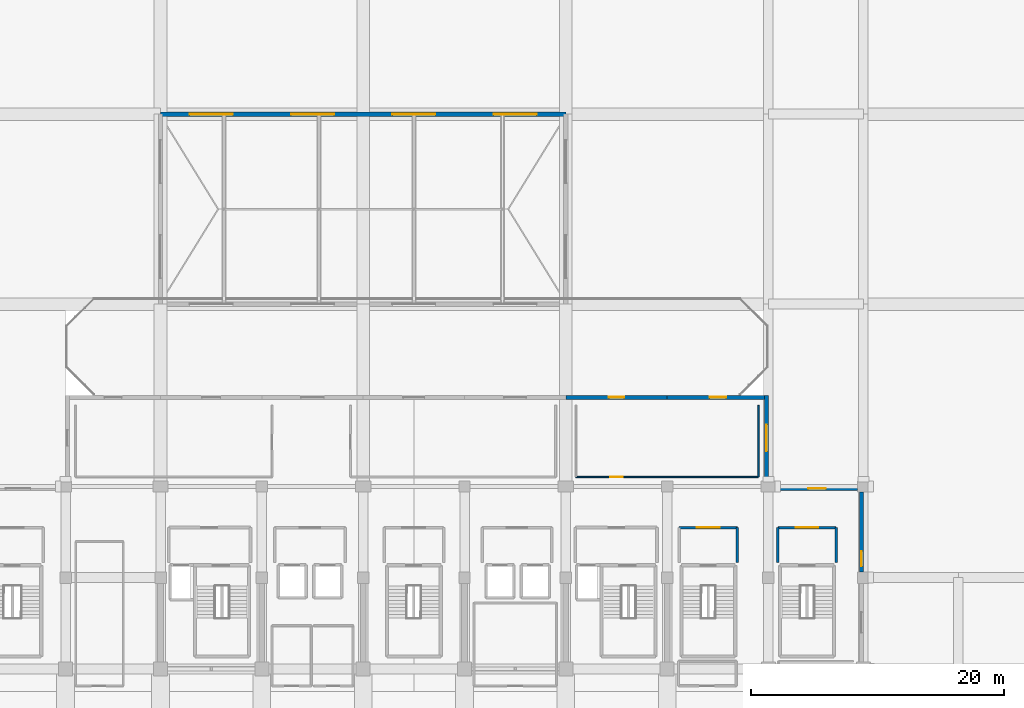
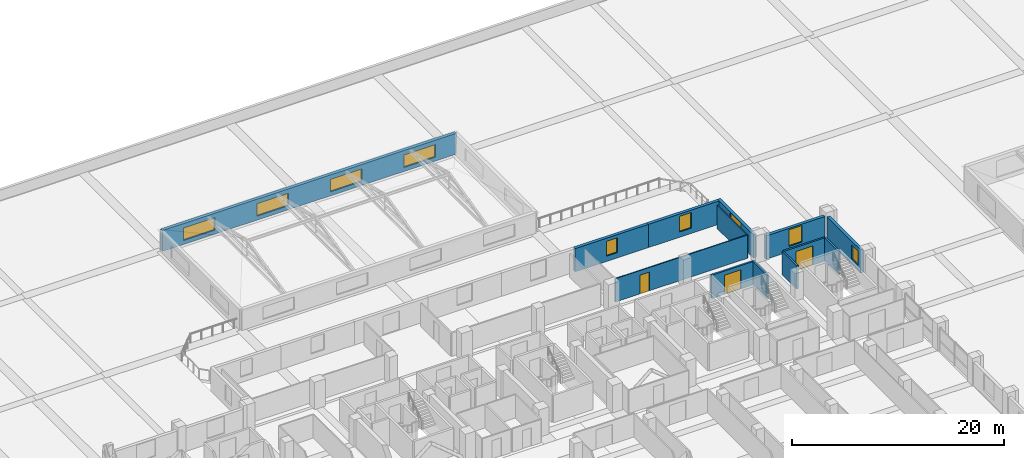
# One storey, part 42 of 49: 13 walls, 9 windows, 3 doors, 12 openings.
"""IFC4 building model written with IfcOpenShell, lengths in metres."""

from ifc_helpers import new_model, si_unit, direction, frame, frame_2d, origin, place, context, subcontext, project, spatial, rectangle, extrude, material, layer, layer_set, type_object, element, fill, save


model = new_model("IFC4")

# Units and contexts
model_context = context("Model", 3, precision=1e-05, world=origin(), true_north=direction((0.0, 1.0)))
body_context = subcontext(model_context, "Body", "Model", "MODEL_VIEW")
ifc_project = project(units=[si_unit("LENGTHUNIT", "METRE"), si_unit("AREAUNIT", "SQUARE_METRE"), si_unit("VOLUMEUNIT", "CUBIC_METRE"), si_unit("PLANEANGLEUNIT", "RADIAN"), si_unit("MASSUNIT", "GRAM", prefix="KILO")], contexts=[model_context])

# Site, building, storey
site_placement = place(None, origin())
site = spatial("IfcSite", under=ifc_project, at=site_placement, CompositionType="ELEMENT")
building_placement = place(site_placement, origin())
building = spatial("IfcBuilding", under=site, at=building_placement, Name="Akrevak Sports Hall", CompositionType="ELEMENT")
storey_placement = place(building_placement, frame((0.0, 0.0, 24.14990234375)))
storey = spatial("IfcBuildingStorey", under=building, at=storey_placement, Name="L04", CompositionType="ELEMENT", Elevation=24.14990234375)

# Wall, opening, window
ifc_material_1 = material(Name="Limestone Ashlar", Category="stone")
ifc_layer_1 = layer(ifc_material_1, 0.070068359375, Name="Limestone Ashlar")
ifc_material_2 = material(Name="Mineral Wool Thermal Insulation", Category="insulation")
ifc_layer_2 = layer(ifc_material_2, 0.090087890625, Name="Mineral Wool Thermal Insulation")
ifc_material_3 = material(Name="Concrete C40/50", Category="concrete")
ifc_layer_3 = layer(ifc_material_3, 0.159912109375, Name="Concrete C40/50")
ifc_layer_set_1 = layer_set([ifc_layer_1, ifc_layer_2, ifc_layer_3], Name="Limestone Ashlar / Mineral Wool Thermal Insulation / Concrete C40/50")
wall_type_1 = type_object("IfcWallType", Name="ARC-WL-EXT-320", PredefinedType="SOLIDWALL", material=ifc_layer_set_1)
wall_1_placement = place(storey_placement, frame((115.340087890625, 62.85009765625, 0.0), z_axis=(0.0, 0.0, 1.0), x_axis=(0.0, 1.0, 0.0)))
wall_1 = element("IfcWall", 1, at=wall_1_placement, inside=storey, type_object=wall_type_1, Name="Tower Stone Facade Wall L04-E17", PredefinedType="SOLIDWALL", context=body_context, shape_type="SweptSolid", body=[
    extrude(rectangle(XDim=6.2998046875, YDim=0.320068359375, at=frame_2d((3.14990234375, 0.0))), origin(), (0.0, 0.0, 1.0), 2.68017578125),
])
opening_1_placement = place(wall_1_placement, frame((0.449951171875, 0.0, 0.6201171875)))
opening_1 = element("IfcOpeningElement", 2, at=opening_1_placement, cuts=wall_1, Name="Opening WN-45", PredefinedType="OPENING", context=body_context, shape_type="SweptSolid", body=[
    extrude(rectangle(XDim=1.199951171875, YDim=1.64990234375, at=frame_2d((0.60009765625, 0.824951171875))), frame((0.0, 0.171875, 0.0), z_axis=(0.0, -1.0, 0.0), x_axis=(1.0, 0.0, 0.0)), (0.0, 0.0, 1.0), 0.343994140625),
])
ifc_material_4 = material(Name="Thermally Broken Bronze Frame & Double Low-E Glass", Category="glass")
window_type_1 = type_object("IfcWindowType", Name="ARC-WIN-SZ-1200x1650", PartitioningType="SINGLE_PANEL", PredefinedType="WINDOW", material=ifc_material_4)
window_1_placement = place(opening_1_placement, origin())
window_1 = element("IfcWindow", 3, at=window_1_placement, inside=storey, type_object=window_type_1, Name="Tower Window L04-E17", OverallHeight=1.64990234375, OverallWidth=1.199951171875, PartitioningType="SINGLE_PANEL", PredefinedType="WINDOW", context=body_context, shape_type="SweptSolid", body=[
    extrude(rectangle(XDim=1.199951171875, YDim=1.64990234375, at=frame_2d((0.60009765625, 0.824951171875))), frame((0.0, 0.030029296875, 0.0), z_axis=(0.0, -1.0, 0.0), x_axis=(1.0, 0.0, 0.0)), (0.0, 0.0, 1.0), 0.06005859375),
])
fill(opening_1, window_1)

wall_2_placement = place(storey_placement, frame((115.050048828125, 69.43994140625, 0.0), z_axis=(0.0, 0.0, 1.0), x_axis=(-1.0, 0.0, 0.0)))
wall_2 = element("IfcWall", 4, at=wall_2_placement, inside=storey, type_object=wall_type_1, Name="Tower Stone Facade Wall L04-N18", PredefinedType="SOLIDWALL", context=body_context, shape_type="SweptSolid", body=[
    extrude(rectangle(XDim=6.449951171875, YDim=0.320068359375, at=frame_2d((3.22509765625, 0.0))), origin(), (0.0, 0.0, 1.0), 2.68017578125),
])
opening_2_placement = place(wall_2_placement, frame((2.52490234375, 0.0, 0.6201171875)))
opening_2 = element("IfcOpeningElement", 5, at=opening_2_placement, cuts=wall_2, Name="Opening WN-10", PredefinedType="OPENING", context=body_context, shape_type="SweptSolid", body=[
    extrude(rectangle(XDim=1.39990234375, YDim=1.89990234375, at=frame_2d((0.699951171875, 0.949951171875))), frame((0.0, 0.171875, 0.0), z_axis=(0.0, -1.0, 0.0), x_axis=(1.0, 0.0, 0.0)), (0.0, 0.0, 1.0), 0.343994140625),
])
window_type_2 = type_object("IfcWindowType", Name="ARC-WIN-TW-140x190", PartitioningType="SINGLE_PANEL", PredefinedType="WINDOW", material=ifc_material_4)
window_2_placement = place(opening_2_placement, origin())
window_2 = element("IfcWindow", 6, at=window_2_placement, inside=storey, type_object=window_type_2, Name="Tower Window L04-N18", OverallHeight=1.89990234375, OverallWidth=1.39990234375, PartitioningType="SINGLE_PANEL", PredefinedType="WINDOW", context=body_context, shape_type="SweptSolid", body=[
    extrude(rectangle(XDim=1.39990234375, YDim=1.89990234375, at=frame_2d((0.699951171875, 0.949951171875))), frame((0.0, 0.030029296875, 0.0), z_axis=(0.0, -1.0, 0.0), x_axis=(1.0, 0.0, 0.0)), (0.0, 0.0, 1.0), 0.06005859375),
])
fill(opening_2, window_2)

wall_3_placement = place(storey_placement, frame((107.840087890625, 70.050048828125, 0.0), z_axis=(0.0, 0.0, 1.0), x_axis=(0.0, 1.0, 0.0)))
wall_3 = element("IfcWall", 7, at=wall_3_placement, inside=storey, type_object=wall_type_1, Name="Tower Stone Facade Wall L04-E19", PredefinedType="SOLIDWALL", context=body_context, shape_type="SweptSolid", body=[
    extrude(rectangle(XDim=6.75, YDim=0.320068359375, at=frame_2d((3.375, 0.0))), origin(), (0.0, 0.0, 1.0), 2.68017578125),
])
opening_3_placement = place(wall_3_placement, frame((2.324951171875, 0.0, 0.6201171875)))
opening_3 = element("IfcOpeningElement", 8, at=opening_3_placement, cuts=wall_3, Name="Opening WN-46", PredefinedType="OPENING", context=body_context, shape_type="SweptSolid", body=[
    extrude(rectangle(XDim=2.10009765625, YDim=1.9599609375, at=frame_2d((1.050048828125, 0.97998046875))), frame((0.0, 0.171875, 0.0), z_axis=(0.0, -1.0, 0.0), x_axis=(1.0, 0.0, 0.0)), (0.0, 0.0, 1.0), 0.343994140625),
])
window_type_3 = type_object("IfcWindowType", Name="ARC-WIN-SZ-2100x1960", PartitioningType="SINGLE_PANEL", PredefinedType="WINDOW", material=ifc_material_4)
window_3_placement = place(opening_3_placement, origin())
window_3 = element("IfcWindow", 9, at=window_3_placement, inside=storey, type_object=window_type_3, Name="Tower Window L04-E19", OverallHeight=1.9599609375, OverallWidth=2.10009765625, PartitioningType="SINGLE_PANEL", PredefinedType="WINDOW", context=body_context, shape_type="SweptSolid", body=[
    extrude(rectangle(XDim=2.10009765625, YDim=1.9599609375, at=frame_2d((1.050048828125, 0.97998046875))), frame((0.0, 0.030029296875, 0.0), z_axis=(0.0, -1.0, 0.0), x_axis=(1.0, 0.0, 0.0)), (0.0, 0.0, 1.0), 0.06005859375),
])
fill(opening_3, window_3)

wall_4_placement = place(storey_placement, frame((108.0, 76.639892578125, 0.0), z_axis=(0.0, 0.0, 1.0), x_axis=(-1.0, 0.0, 0.0)))
wall_4 = element("IfcWall", 10, at=wall_4_placement, inside=storey, type_object=wall_type_1, Name="Tower Stone Facade Wall L04-N20", PredefinedType="SOLIDWALL", context=body_context, shape_type="SweptSolid", body=[
    extrude(rectangle(XDim=8.0, YDim=0.320068359375, at=frame_2d((4.0, 0.0))), origin(), (0.0, 0.0, 1.0), 2.68017578125),
])
opening_4_placement = place(wall_4_placement, frame((3.35009765625, 0.0, 0.6201171875)))
opening_4 = element("IfcOpeningElement", 11, at=opening_4_placement, cuts=wall_4, Name="Opening WN-12", PredefinedType="OPENING", context=body_context, shape_type="SweptSolid", body=[
    extrude(rectangle(XDim=1.300048828125, YDim=1.800048828125, at=frame_2d((0.64990234375, 0.89990234375))), frame((0.0, 0.171875, 0.0), z_axis=(0.0, -1.0, 0.0), x_axis=(1.0, 0.0, 0.0)), (0.0, 0.0, 1.0), 0.343994140625),
])
window_type_4 = type_object("IfcWindowType", Name="ARC-WIN-TW-130x180", PartitioningType="SINGLE_PANEL", PredefinedType="WINDOW", material=ifc_material_4)
window_4_placement = place(opening_4_placement, origin())
window_4 = element("IfcWindow", 12, at=window_4_placement, inside=storey, type_object=window_type_4, Name="Tower Window L04-N20", OverallHeight=1.800048828125, OverallWidth=1.300048828125, PartitioningType="SINGLE_PANEL", PredefinedType="WINDOW", context=body_context, shape_type="SweptSolid", body=[
    extrude(rectangle(XDim=1.300048828125, YDim=1.800048828125, at=frame_2d((0.64990234375, 0.89990234375))), frame((0.0, 0.030029296875, 0.0), z_axis=(0.0, -1.0, 0.0), x_axis=(1.0, 0.0, 0.0)), (0.0, 0.0, 1.0), 0.06005859375),
])
fill(opening_4, window_4)

wall_5_placement = place(storey_placement, frame((100.0, 76.639892578125, 0.0), z_axis=(0.0, 0.0, 1.0), x_axis=(-1.0, 0.0, 0.0)))
wall_5 = element("IfcWall", 13, at=wall_5_placement, inside=storey, type_object=wall_type_1, Name="Tower Stone Facade Wall L04-N21", PredefinedType="SOLIDWALL", context=body_context, shape_type="SweptSolid", body=[
    extrude(rectangle(XDim=8.0, YDim=0.320068359375, at=frame_2d((4.0, 0.0))), origin(), (0.0, 0.0, 1.0), 2.68017578125),
])
opening_5_placement = place(wall_5_placement, frame((3.39990234375, 0.0, 0.6201171875)))
opening_5 = element("IfcOpeningElement", 14, at=opening_5_placement, cuts=wall_5, Name="Opening WN-13", PredefinedType="OPENING", context=body_context, shape_type="SweptSolid", body=[
    extrude(rectangle(XDim=1.199951171875, YDim=1.699951171875, at=frame_2d((0.60009765625, 0.85009765625))), frame((0.0, 0.171875, 0.0), z_axis=(0.0, -1.0, 0.0), x_axis=(1.0, 0.0, 0.0)), (0.0, 0.0, 1.0), 0.343994140625),
])
window_type_5 = type_object("IfcWindowType", Name="ARC-WIN-TW-120x170", PartitioningType="SINGLE_PANEL", PredefinedType="WINDOW", material=ifc_material_4)
window_5_placement = place(opening_5_placement, origin())
window_5 = element("IfcWindow", 15, at=window_5_placement, inside=storey, type_object=window_type_5, Name="Tower Window L04-N21", OverallHeight=1.699951171875, OverallWidth=1.199951171875, PartitioningType="SINGLE_PANEL", PredefinedType="WINDOW", context=body_context, shape_type="SweptSolid", body=[
    extrude(rectangle(XDim=1.199951171875, YDim=1.699951171875, at=frame_2d((0.60009765625, 0.85009765625))), frame((0.0, 0.030029296875, 0.0), z_axis=(0.0, -1.0, 0.0), x_axis=(1.0, 0.0, 0.0)), (0.0, 0.0, 1.0), 0.06005859375),
])
fill(opening_5, window_5)

# Wall, openings, windows
ifc_layer_4 = layer(ifc_material_1, 0.070068359375, Name="Limestone Ashlar")
ifc_layer_5 = layer(ifc_material_2, 0.10009765625, Name="Mineral Wool Thermal Insulation")
ifc_layer_6 = layer(ifc_material_3, 0.169921875, Name="Concrete C40/50")
ifc_layer_set_2 = layer_set([ifc_layer_4, ifc_layer_5, ifc_layer_6], Name="Limestone Ashlar / Mineral Wool Thermal Insulation / Concrete C40/50")
wall_type_2 = type_object("IfcWallType", Name="ARC-WL-EXT-340", PredefinedType="SOLIDWALL", material=ifc_layer_set_2)
wall_6_placement = place(storey_placement, frame((92.0, 99.0, 0.0), z_axis=(0.0, 0.0, 1.0), x_axis=(-1.0, 0.0, 0.0)))
wall_6 = element("IfcWall", 16, at=wall_6_placement, inside=storey, type_object=wall_type_2, Name="North Athletes Hall Clerestory Monitor N Wall", PredefinedType="SOLIDWALL", context=body_context, shape_type="SweptSolid", body=[
    extrude(rectangle(XDim=32.0, YDim=0.340087890625, at=frame_2d((16.0, 0.0))), origin(), (0.0, 0.0, 1.0), 2.400146484375),
])
opening_6_placement = place(wall_6_placement, frame((2.300048828125, 0.0, 0.4599609375)))
opening_6 = element("IfcOpeningElement", 17, at=opening_6_placement, cuts=wall_6, Name="Opening WN-61", PredefinedType="OPENING", context=body_context, shape_type="SweptSolid", body=[
    extrude(rectangle(XDim=3.39990234375, YDim=1.43994140625, at=frame_2d((1.699951171875, 0.719970703125))), frame((0.0, 0.18212890625, 0.0), z_axis=(0.0, -1.0, 0.0), x_axis=(1.0, 0.0, 0.0)), (0.0, 0.0, 1.0), 0.364013671875),
])
opening_7_placement = place(wall_6_placement, frame((10.300048828125, 0.0, 0.4599609375)))
opening_7 = element("IfcOpeningElement", 18, at=opening_7_placement, cuts=wall_6, Name="Opening WN-61", PredefinedType="OPENING", context=body_context, shape_type="SweptSolid", body=[
    extrude(rectangle(XDim=3.39990234375, YDim=1.43994140625, at=frame_2d((1.699951171875, 0.719970703125))), frame((0.0, 0.18212890625, 0.0), z_axis=(0.0, -1.0, 0.0), x_axis=(1.0, 0.0, 0.0)), (0.0, 0.0, 1.0), 0.364013671875),
])
opening_8_placement = place(wall_6_placement, frame((18.300048828125, 0.0, 0.4599609375)))
opening_8 = element("IfcOpeningElement", 19, at=opening_8_placement, cuts=wall_6, Name="Opening WN-61", PredefinedType="OPENING", context=body_context, shape_type="SweptSolid", body=[
    extrude(rectangle(XDim=3.39990234375, YDim=1.43994140625, at=frame_2d((1.699951171875, 0.719970703125))), frame((0.0, 0.18212890625, 0.0), z_axis=(0.0, -1.0, 0.0), x_axis=(1.0, 0.0, 0.0)), (0.0, 0.0, 1.0), 0.364013671875),
])
opening_9_placement = place(wall_6_placement, frame((26.300048828125, 0.0, 0.4599609375)))
opening_9 = element("IfcOpeningElement", 20, at=opening_9_placement, cuts=wall_6, Name="Opening WN-61", PredefinedType="OPENING", context=body_context, shape_type="SweptSolid", body=[
    extrude(rectangle(XDim=3.39990234375, YDim=1.43994140625, at=frame_2d((1.699951171875, 0.719970703125))), frame((0.0, 0.18212890625, 0.0), z_axis=(0.0, -1.0, 0.0), x_axis=(1.0, 0.0, 0.0)), (0.0, 0.0, 1.0), 0.364013671875),
])
window_type_6 = type_object("IfcWindowType", Name="ARC-WIN-SZ-3400x1440", PartitioningType="SINGLE_PANEL", PredefinedType="WINDOW", material=ifc_material_4)
window_6_placement = place(opening_6_placement, origin())
window_6 = element("IfcWindow", 21, at=window_6_placement, inside=storey, type_object=window_type_6, Name="North Athletes Hall Clerestory Monitor Clerestory Window N.1", OverallHeight=1.43994140625, OverallWidth=3.39990234375, PartitioningType="SINGLE_PANEL", PredefinedType="WINDOW", context=body_context, shape_type="SweptSolid", body=[
    extrude(rectangle(XDim=3.39990234375, YDim=1.43994140625, at=frame_2d((1.699951171875, 0.719970703125))), frame((0.0, 0.030029296875, 0.0), z_axis=(0.0, -1.0, 0.0), x_axis=(1.0, 0.0, 0.0)), (0.0, 0.0, 1.0), 0.06005859375),
])
fill(opening_6, window_6)
window_7_placement = place(opening_7_placement, origin())
window_7 = element("IfcWindow", 22, at=window_7_placement, inside=storey, type_object=window_type_6, Name="North Athletes Hall Clerestory Monitor Clerestory Window N.2", OverallHeight=1.43994140625, OverallWidth=3.39990234375, PartitioningType="SINGLE_PANEL", PredefinedType="WINDOW", context=body_context, shape_type="SweptSolid", body=[
    extrude(rectangle(XDim=3.39990234375, YDim=1.43994140625, at=frame_2d((1.699951171875, 0.719970703125))), frame((0.0, 0.030029296875, 0.0), z_axis=(0.0, -1.0, 0.0), x_axis=(1.0, 0.0, 0.0)), (0.0, 0.0, 1.0), 0.06005859375),
])
fill(opening_7, window_7)
window_8_placement = place(opening_8_placement, origin())
window_8 = element("IfcWindow", 23, at=window_8_placement, inside=storey, type_object=window_type_6, Name="North Athletes Hall Clerestory Monitor Clerestory Window N.3", OverallHeight=1.43994140625, OverallWidth=3.39990234375, PartitioningType="SINGLE_PANEL", PredefinedType="WINDOW", context=body_context, shape_type="SweptSolid", body=[
    extrude(rectangle(XDim=3.39990234375, YDim=1.43994140625, at=frame_2d((1.699951171875, 0.719970703125))), frame((0.0, 0.030029296875, 0.0), z_axis=(0.0, -1.0, 0.0), x_axis=(1.0, 0.0, 0.0)), (0.0, 0.0, 1.0), 0.06005859375),
])
fill(opening_8, window_8)
window_9_placement = place(opening_9_placement, origin())
window_9 = element("IfcWindow", 24, at=window_9_placement, inside=storey, type_object=window_type_6, Name="North Athletes Hall Clerestory Monitor Clerestory Window N.4", OverallHeight=1.43994140625, OverallWidth=3.39990234375, PartitioningType="SINGLE_PANEL", PredefinedType="WINDOW", context=body_context, shape_type="SweptSolid", body=[
    extrude(rectangle(XDim=3.39990234375, YDim=1.43994140625, at=frame_2d((1.699951171875, 0.719970703125))), frame((0.0, 0.030029296875, 0.0), z_axis=(0.0, -1.0, 0.0), x_axis=(1.0, 0.0, 0.0)), (0.0, 0.0, 1.0), 0.06005859375),
])
fill(opening_9, window_9)

# Wall, opening, door
ifc_material_5 = material(Name="Lightweight Office Partition", Category="gypsum")
ifc_layer_7 = layer(ifc_material_5, 0.110107421875, Name="Lightweight Office Partition")
ifc_layer_set_3 = layer_set([ifc_layer_7], Name="Lightweight Office Partition")
wall_type_3 = type_object("IfcWallType", Name="ARC-WL-PRT-110", PredefinedType="PARTITIONING", material=ifc_layer_set_3)
wall_7_placement = place(storey_placement, frame((92.800048828125, 70.35009765625, 0.0), z_axis=(0.0, 0.0, 1.0), x_axis=(1.0, 0.0, 0.0)))
wall_7 = element("IfcWall", 25, at=wall_7_placement, inside=storey, type_object=wall_type_3, Name="Interior Partition Sports Medicine Advisory Office L04 (S)", PredefinedType="PARTITIONING", context=body_context, shape_type="SweptSolid", body=[
    extrude(rectangle(XDim=14.39990234375, YDim=0.110107421875, at=frame_2d((7.199951171875, 0.0))), origin(), (0.0, 0.0, 1.0), 2.68017578125),
])
opening_10_placement = place(wall_7_placement, frame((2.699951171875, 0.0, 0.0)))
opening_10 = element("IfcOpeningElement", 26, at=opening_10_placement, cuts=wall_7, Name="Opening ID-06", PredefinedType="OPENING", context=body_context, shape_type="SweptSolid", body=[
    extrude(rectangle(XDim=1.0, YDim=2.14990234375, at=frame_2d((0.5, 1.074951171875))), frame((0.0, 0.06689453125, 0.0), z_axis=(0.0, -1.0, 0.0), x_axis=(1.0, 0.0, 0.0)), (0.0, 0.0, 1.0), 0.134033203125),
])
ifc_material_6 = material(Name="Hardwood Oak Acoustic Leaf", Category="wood")
door_type_1 = type_object("IfcDoorType", Name="ARC-DR-OFF-100x215", OperationType="NOTDEFINED", PredefinedType="DOOR", material=ifc_material_6)
door_1_placement = place(opening_10_placement, origin())
door_1 = element("IfcDoor", 27, at=door_1_placement, inside=storey, type_object=door_type_1, Name="Door to Sports Medicine Advisory Office L04", OperationType="SINGLE_SWING_LEFT", OverallHeight=2.14990234375, OverallWidth=1.0, PredefinedType="DOOR", context=body_context, shape_type="SweptSolid", body=[
    extrude(rectangle(XDim=1.0, YDim=2.14990234375, at=frame_2d((0.5, 1.074951171875))), frame((0.0, 0.02490234375, 0.0), z_axis=(0.0, -1.0, 0.0), x_axis=(1.0, 0.0, 0.0)), (0.0, 0.0, 1.0), 0.050048828125),
])
fill(opening_10, door_1)

# Wall
wall_8_placement = place(storey_placement, frame((107.199951171875, 70.35009765625, 0.0), z_axis=(0.0, 0.0, 1.0), x_axis=(0.0, 1.0, 0.0)))
element("IfcWall", 28, at=wall_8_placement, inside=storey, type_object=wall_type_3, Name="Interior Partition Sports Medicine Advisory Office L04 (E)", PredefinedType="PARTITIONING", context=body_context, shape_type="SweptSolid", body=[
    extrude(rectangle(XDim=5.64990234375, YDim=0.110107421875, at=frame_2d((2.824951171875, 0.0))), origin(), (0.0, 0.0, 1.0), 2.68017578125),
])

# Wall, opening, door
ifc_material_7 = material(Name="Autoclaved Aerated Masonry Block", Category="masonry")
ifc_layer_8 = layer(ifc_material_7, 0.199951171875, Name="Autoclaved Aerated Masonry Block")
ifc_layer_set_4 = layer_set([ifc_layer_8], Name="Autoclaved Aerated Masonry Block")
wall_type_4 = type_object("IfcWallType", Name="ARC-WL-PRT-200", PredefinedType="PARTITIONING", material=ifc_layer_set_4)
wall_9_placement = place(storey_placement, frame((100.949951171875, 66.35009765625, 0.0), z_axis=(0.0, 0.0, 1.0), x_axis=(1.0, 0.0, 0.0)))
wall_9 = element("IfcWall", 29, at=wall_9_placement, inside=storey, type_object=wall_type_4, Name="Interior Partition East Wing Stair ST10 Vestibule L04 (N)", PredefinedType="PARTITIONING", context=body_context, shape_type="SweptSolid", body=[
    extrude(rectangle(XDim=4.60009765625, YDim=0.199951171875, at=frame_2d((2.300048828125, 0.0))), origin(), (0.0, 0.0, 1.0), 2.68017578125),
])
opening_11_placement = place(wall_9_placement, frame((1.39990234375, 0.0, 0.0)))
opening_11 = element("IfcOpeningElement", 30, at=opening_11_placement, cuts=wall_9, Name="Opening FD-02", PredefinedType="OPENING", context=body_context, shape_type="SweptSolid", body=[
    extrude(rectangle(XDim=1.800048828125, YDim=2.199951171875, at=frame_2d((0.89990234375, 1.10009765625))), frame((0.0, 0.11181640625, 0.0), z_axis=(0.0, -1.0, 0.0), x_axis=(1.0, 0.0, 0.0)), (0.0, 0.0, 1.0), 0.223876953125),
])
ifc_material_8 = material(Name="Fire-Rated Galvanized Door Steel", Category="steel")
door_type_2 = type_object("IfcDoorType", Name="ARC-DR-FIRE-180x220", OperationType="DOUBLE_DOOR_SINGLE_SWING", PredefinedType="DOOR", material=ifc_material_8)
door_2_placement = place(opening_11_placement, frame((1.800048828125, 0.0, 0.0), z_axis=(0.0, 0.0, 1.0), x_axis=(-1.0, 0.0, 0.0)))
door_2 = element("IfcDoor", 31, at=door_2_placement, inside=storey, type_object=door_type_2, Name="Door to East Wing Stair ST10 Vestibule L04", OperationType="DOUBLE_DOOR_SINGLE_SWING", OverallHeight=2.199951171875, OverallWidth=1.800048828125, PredefinedType="DOOR", context=body_context, shape_type="SweptSolid", body=[
    extrude(rectangle(XDim=1.800048828125, YDim=2.199951171875, at=frame_2d((0.89990234375, 1.10009765625))), frame((0.0, 0.02490234375, 0.0), z_axis=(0.0, -1.0, 0.0), x_axis=(1.0, 0.0, 0.0)), (0.0, 0.0, 1.0), 0.050048828125),
])
fill(opening_11, door_2)

# Wall
wall_10_placement = place(storey_placement, frame((105.550048828125, 63.60009765625, 0.0), z_axis=(0.0, 0.0, 1.0), x_axis=(0.0, 1.0, 0.0)))
element("IfcWall", 32, at=wall_10_placement, inside=storey, type_object=wall_type_4, Name="Interior Partition East Wing Stair ST10 Vestibule L04 (E)", PredefinedType="PARTITIONING", context=body_context, shape_type="SweptSolid", body=[
    extrude(rectangle(XDim=2.75, YDim=0.199951171875, at=frame_2d((1.375, 0.0))), origin(), (0.0, 0.0, 1.0), 2.68017578125),
])

# Wall, opening, door
wall_11_placement = place(storey_placement, frame((108.75, 66.35009765625, 0.0), z_axis=(0.0, 0.0, 1.0), x_axis=(1.0, 0.0, 0.0)))
wall_11 = element("IfcWall", 33, at=wall_11_placement, inside=storey, type_object=wall_type_4, Name="Interior Partition East Transfer Stair ST11 Vestibule L04 (N)", PredefinedType="PARTITIONING", context=body_context, shape_type="SweptSolid", body=[
    extrude(rectangle(XDim=4.60009765625, YDim=0.199951171875, at=frame_2d((2.300048828125, 0.0))), origin(), (0.0, 0.0, 1.0), 2.68017578125),
])
opening_12_placement = place(wall_11_placement, frame((1.39990234375, 0.0, 0.0)))
opening_12 = element("IfcOpeningElement", 34, at=opening_12_placement, cuts=wall_11, Name="Opening FD-02", PredefinedType="OPENING", context=body_context, shape_type="SweptSolid", body=[
    extrude(rectangle(XDim=1.800048828125, YDim=2.199951171875, at=frame_2d((0.89990234375, 1.10009765625))), frame((0.0, 0.11181640625, 0.0), z_axis=(0.0, -1.0, 0.0), x_axis=(1.0, 0.0, 0.0)), (0.0, 0.0, 1.0), 0.223876953125),
])
door_3_placement = place(opening_12_placement, frame((1.800048828125, 0.0, 0.0), z_axis=(0.0, 0.0, 1.0), x_axis=(-1.0, 0.0, 0.0)))
door_3 = element("IfcDoor", 35, at=door_3_placement, inside=storey, type_object=door_type_2, Name="Door to East Transfer Stair ST11 Vestibule L04", OperationType="DOUBLE_DOOR_SINGLE_SWING", OverallHeight=2.199951171875, OverallWidth=1.800048828125, PredefinedType="DOOR", context=body_context, shape_type="SweptSolid", body=[
    extrude(rectangle(XDim=1.800048828125, YDim=2.199951171875, at=frame_2d((0.89990234375, 1.10009765625))), frame((0.0, 0.02490234375, 0.0), z_axis=(0.0, -1.0, 0.0), x_axis=(1.0, 0.0, 0.0)), (0.0, 0.0, 1.0), 0.050048828125),
])
fill(opening_12, door_3)

# Walls
for number, where, z_axis, x_axis, name in (
    (36, (108.75, 63.60009765625, 0.0), (0.0, 0.0, 1.0), (0.0, 1.0, 0.0), "Interior Partition East Transfer Stair ST11 Vestibule L04 (W)"),
    (37, (113.35009765625, 63.60009765625, 0.0), (0.0, 0.0, 1.0), (0.0, 1.0, 0.0), "Interior Partition East Transfer Stair ST11 Vestibule L04 (E)"),
):
    element("IfcWall", number, at=place(storey_placement, frame(where, z_axis=z_axis, x_axis=x_axis)), inside=storey, type_object=wall_type_4, Name=name, PredefinedType="PARTITIONING", context=body_context, shape_type="SweptSolid", body=[
        extrude(rectangle(XDim=2.75, YDim=0.199951171875, at=frame_2d((1.375, 0.0))), origin(), (0.0, 0.0, 1.0), 2.68017578125),
    ])

save(model, "model.ifc")
